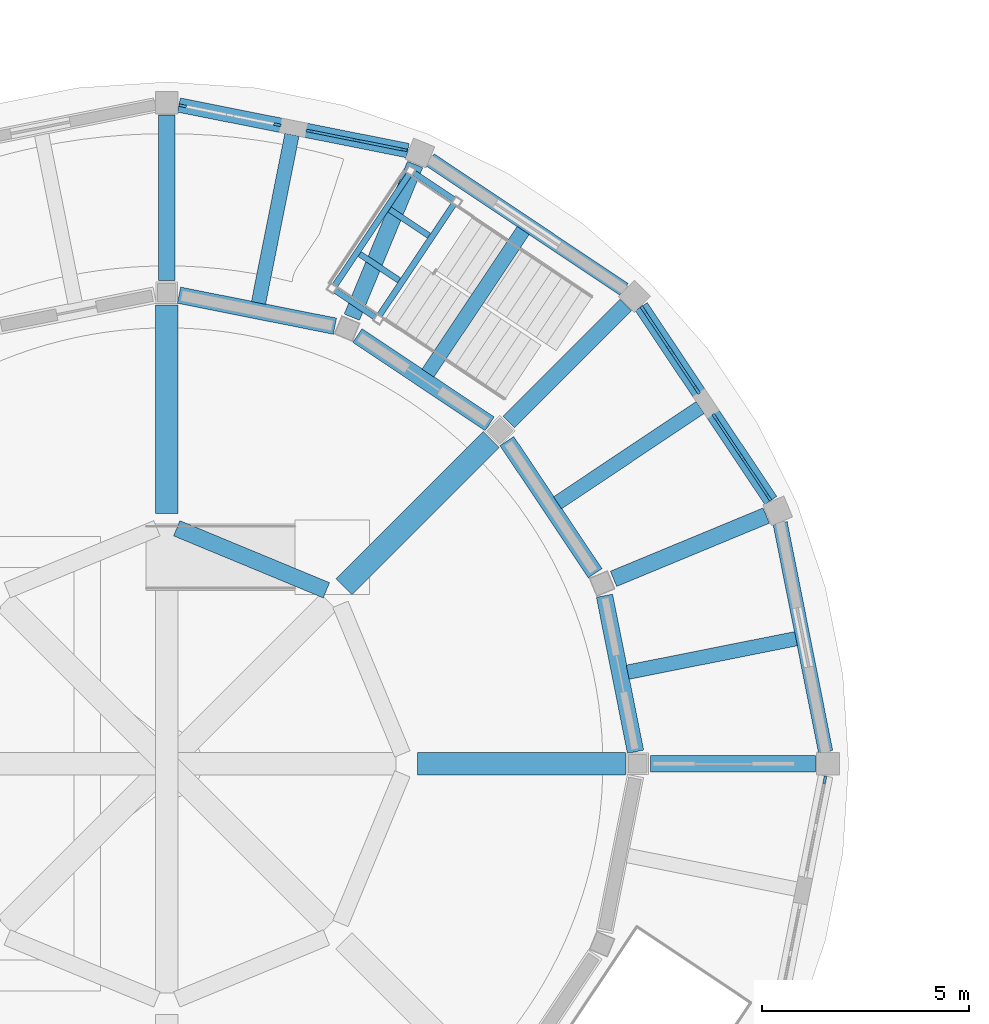
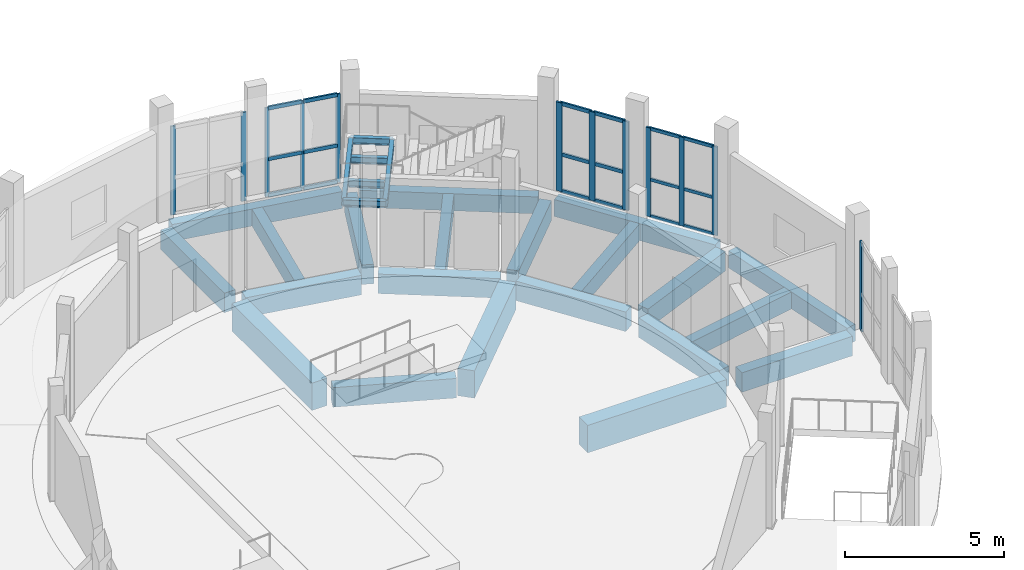
# One storey, part 40 of 92: 30 members, 27 beams, 5 elements without a shape of their own.
"""IFC4 building model written with IfcOpenShell, lengths in metres."""

from ifc_helpers import new_model, si_unit, direction, frame, origin, origin_2d, place, context, subcontext, project, spatial, rectangle, i_section, extrude, material, layer, layer_set, material_profile, profile_set, type_object, element, aggregate, save


model = new_model("IFC4")

# Units and contexts
model_context = context("Model", 3, precision=1e-05, world=origin(), true_north=direction((0.0, 1.0)))
body_context = subcontext(model_context, "Body", "Model", "MODEL_VIEW")
ifc_project = project(units=[si_unit("LENGTHUNIT", "METRE"), si_unit("AREAUNIT", "SQUARE_METRE"), si_unit("VOLUMEUNIT", "CUBIC_METRE"), si_unit("PLANEANGLEUNIT", "RADIAN"), si_unit("MASSUNIT", "GRAM", prefix="KILO")], contexts=[model_context])

# Site, building, storey
site_placement = place(None, origin())
site = spatial("IfcSite", under=ifc_project, at=site_placement, CompositionType="ELEMENT")
building_placement = place(site_placement, origin())
building = spatial("IfcBuilding", under=site, at=building_placement, Name="Caldaven Crescent School", CompositionType="ELEMENT")
storey_placement = place(building_placement, origin())
storey = spatial("IfcBuildingStorey", under=building, at=storey_placement, Name="L00", CompositionType="ELEMENT", Elevation=0.0)

# Beams
ifc_material_1 = material(Name="Concrete C30/37", Category="concrete")
ifc_material_profile_1 = material_profile(ifc_material_1, rectangle(XDim=0.35009765625, YDim=0.64990234375, at=origin_2d()), Name="RC 350x650")
ifc_profile_set_1 = profile_set([ifc_material_profile_1], Name="Concrete C30/37")
beam_type_1 = type_object("IfcBeamType", Name="BM-RC35", PredefinedType="BEAM", material=ifc_profile_set_1)
beam_1_placement = place(storey_placement, frame((34.65234375, 100.71826171875, -0.5849609375), z_axis=(0.980781447665, 0.195109589505, 0.0), x_axis=(-0.195109589505, 0.980781447665, 0.0)))
element("IfcBeam", 1, at=beam_1_placement, inside=storey, type_object=beam_type_1, Name="JS-V2-L00-0213", PredefinedType="BEAM", context=body_context, shape_type="SweptSolid", body=[
    extrude(rectangle(XDim=0.35009765625, YDim=0.64990234375, at=origin_2d()), origin(), (0.0, 0.0, 1.0), 4.15185546875),
])
for number, where, z_axis, x_axis, name in (
    (2, (32.95458984375, 104.8173828125, -0.5849609375), (0.831479874258, 0.55555487461, 0.0), (-0.55555487461, 0.831479874258, 0.0), "JS-V2-L00-0217"),
    (3, (29.8173828125, 107.95458984375, -0.5849609375), (0.55555487461, 0.831479874258, 0.0), (-0.831479874258, 0.55555487461, 0.0), "JS-V2-L00-0224"),
):
    element("IfcBeam", number, at=place(storey_placement, frame(where, z_axis=z_axis, x_axis=x_axis)), inside=storey, type_object=beam_type_1, Name=name, PredefinedType="BEAM", context=body_context, shape_type="SweptSolid", body=[
        extrude(rectangle(XDim=0.35009765625, YDim=0.64990234375, at=origin_2d()), origin(), (0.0, 0.0, 1.0), 4.151611328125),
    ])
beam_2_placement = place(storey_placement, frame((25.71826171875, 109.65234375, -0.5849609375), z_axis=(0.195109589505, 0.980781447665, 0.0), x_axis=(-0.980781447665, 0.195109589505, 0.0)))
element("IfcBeam", 4, at=beam_2_placement, inside=storey, type_object=beam_type_1, Name="JS-V2-L00-0228", PredefinedType="BEAM", context=body_context, shape_type="SweptSolid", body=[
    extrude(rectangle(XDim=0.35009765625, YDim=0.64990234375, at=origin_2d()), origin(), (0.0, 0.0, 1.0), 4.15185546875),
])
ifc_material_2 = material(Name="Concrete C35/45", Category="concrete")
ifc_material_profile_2 = material_profile(ifc_material_2, rectangle(XDim=0.39990234375, YDim=0.75, at=origin_2d()), Name="RC 400x750")
ifc_profile_set_2 = profile_set([ifc_material_profile_2], Name="Concrete C35/45")
beam_type_2 = type_object("IfcBeamType", Name="BM-RC40", PredefinedType="BEAM", material=ifc_profile_set_2)
beam_3_placement = place(storey_placement, frame((35.199951171875, 98.5, -0.635009765625), z_axis=(1.0, 0.0, 0.0), x_axis=(0.0, 1.0, 0.0)))
element("IfcBeam", 5, at=beam_3_placement, inside=storey, type_object=beam_type_2, Name="BM-V2-L00-0209", PredefinedType="BEAM", context=body_context, shape_type="SweptSolid", body=[
    extrude(rectangle(XDim=0.39990234375, YDim=0.75, at=origin_2d()), origin(), (0.0, 0.0, 1.0), 4.0),
])
beam_4_placement = place(storey_placement, frame((34.841552734375, 98.794189453125, -0.635009765625), z_axis=(-0.195091158895, 0.980785113937, 0.0), x_axis=(-0.980785113937, -0.195091158895, 0.0)))
element("IfcBeam", 6, at=beam_4_placement, inside=storey, type_object=beam_type_2, Name="BM-V2-L00-0210", PredefinedType="BEAM", context=body_context, shape_type="SweptSolid", body=[
    extrude(rectangle(XDim=0.39990234375, YDim=0.75, at=origin_2d()), origin(), (0.0, 0.0, 1.0), 3.84814453125),
])
beam_5_placement = place(storey_placement, frame((34.309326171875, 102.977294921875, -0.635009765625), z_axis=(0.923878468529, 0.382686001036, 0.0), x_axis=(-0.382686001036, 0.923878468529, 0.0)))
element("IfcBeam", 7, at=beam_5_placement, inside=storey, type_object=beam_type_2, Name="BM-V2-L00-0214", PredefinedType="BEAM", context=body_context, shape_type="SweptSolid", body=[
    extrude(rectangle(XDim=0.39990234375, YDim=0.75, at=origin_2d()), origin(), (0.0, 0.0, 1.0), 4.0),
])
beam_6_placement = place(storey_placement, frame((33.865478515625, 103.112060546875, -0.635009765625), z_axis=(-0.555549132006, 0.831483711162, 0.0), x_axis=(-0.831483711162, -0.555549132006, 0.0)))
element("IfcBeam", 8, at=beam_6_placement, inside=storey, type_object=beam_type_2, Name="BM-V2-L00-0215", PredefinedType="BEAM", context=body_context, shape_type="SweptSolid", body=[
    extrude(rectangle(XDim=0.39990234375, YDim=0.75, at=origin_2d()), origin(), (0.0, 0.0, 1.0), 3.847900390625),
])
beam_7_placement = place(storey_placement, frame((27.361083984375, 102.70068359375, -0.635009765625), z_axis=(-0.923883966899, 0.382672726631, 0.0), x_axis=(-0.382672726631, -0.923883966899, 0.0)))
element("IfcBeam", 9, at=beam_7_placement, inside=storey, type_object=beam_type_2, Name="BM-V2-L00-0218", PredefinedType="BEAM", context=body_context, shape_type="SweptSolid", body=[
    extrude(rectangle(XDim=0.39990234375, YDim=0.75, at=origin_2d()), origin(), (0.0, 0.0, 1.0), 3.919189453125),
])
beam_8_placement = place(storey_placement, frame((31.773193359375, 106.773193359375, -0.635009765625), z_axis=(0.707106781187, 0.707106781187, 0.0), x_axis=(-0.707106781187, 0.707106781187, 0.0)))
element("IfcBeam", 10, at=beam_8_placement, inside=storey, type_object=beam_type_2, Name="BM-V2-L00-0220", PredefinedType="BEAM", context=body_context, shape_type="SweptSolid", body=[
    extrude(rectangle(XDim=0.39990234375, YDim=0.75, at=origin_2d()), origin(), (0.0, 0.0, 1.0), 4.0),
])
beam_9_placement = place(storey_placement, frame((31.3115234375, 106.727783203125, -0.635009765625), z_axis=(-0.831483711162, 0.555549132006, 0.0), x_axis=(-0.555549132006, -0.831483711162, 0.0)))
element("IfcBeam", 11, at=beam_9_placement, inside=storey, type_object=beam_type_2, Name="BM-V2-L00-0221", PredefinedType="BEAM", context=body_context, shape_type="SweptSolid", body=[
    extrude(rectangle(XDim=0.39990234375, YDim=0.75, at=origin_2d()), origin(), (0.0, 0.0, 1.0), 3.847900390625),
])
beam_10_placement = place(storey_placement, frame((27.977294921875, 109.309326171875, -0.635009765625), z_axis=(0.382686001036, 0.923878468529, 0.0), x_axis=(-0.923878468529, 0.382686001036, 0.0)))
element("IfcBeam", 12, at=beam_10_placement, inside=storey, type_object=beam_type_2, Name="BM-V2-L00-0225", PredefinedType="BEAM", context=body_context, shape_type="SweptSolid", body=[
    extrude(rectangle(XDim=0.39990234375, YDim=0.75, at=origin_2d()), origin(), (0.0, 0.0, 1.0), 4.0),
])
beam_11_placement = place(storey_placement, frame((27.568359375, 109.0908203125, -0.635009765625), z_axis=(-0.980785113937, 0.195091158895, 0.0), x_axis=(-0.195091158895, -0.980785113937, 0.0)))
element("IfcBeam", 13, at=beam_11_placement, inside=storey, type_object=beam_type_2, Name="BM-V2-L00-0226", PredefinedType="BEAM", context=body_context, shape_type="SweptSolid", body=[
    extrude(rectangle(XDim=0.39990234375, YDim=0.75, at=origin_2d()), origin(), (0.0, 0.0, 1.0), 3.84814453125),
])
beam_12_placement = place(storey_placement, frame((23.5, 110.199951171875, -0.635009765625), z_axis=(0.0, 1.0, 0.0), x_axis=(-1.0, 0.0, 0.0)))
element("IfcBeam", 14, at=beam_12_placement, inside=storey, type_object=beam_type_2, Name="BM-V2-L00-0231", PredefinedType="BEAM", context=body_context, shape_type="SweptSolid", body=[
    extrude(rectangle(XDim=0.39990234375, YDim=0.75, at=origin_2d()), origin(), (0.0, 0.0, 1.0), 4.0),
])
ifc_material_profile_3 = material_profile(ifc_material_2, rectangle(XDim=0.550048828125, YDim=1.050048828125, at=origin_2d()), Name="RC 550x1050")
ifc_profile_set_3 = profile_set([ifc_material_profile_3], Name="Concrete C35/45")
beam_type_3 = type_object("IfcBeamType", Name="BM-RC55", PredefinedType="BEAM", material=ifc_profile_set_3)
beam_13_placement = place(storey_placement, frame((29.56005859375, 98.5, -0.784912109375), z_axis=(1.0, 0.0, 0.0), x_axis=(0.0, 1.0, 0.0)))
element("IfcBeam", 15, at=beam_13_placement, inside=storey, type_object=beam_type_3, Name="BM-V2-L00-0208", PredefinedType="BEAM", context=body_context, shape_type="SweptSolid", body=[
    extrude(rectangle(XDim=0.550048828125, YDim=1.050048828125, at=origin_2d()), origin(), (0.0, 0.0, 1.0), 5.0400390625),
])
beam_14_placement = place(storey_placement, frame((27.78515625, 102.78515625, -0.784912109375), z_axis=(0.707106781187, 0.707106781187, 0.0), x_axis=(-0.707106781187, 0.707106781187, 0.0)))
element("IfcBeam", 16, at=beam_14_placement, inside=storey, type_object=beam_type_3, Name="BM-V2-L00-0219", PredefinedType="BEAM", context=body_context, shape_type="SweptSolid", body=[
    extrude(rectangle(XDim=0.550048828125, YDim=1.050048828125, at=origin_2d()), origin(), (0.0, 0.0, 1.0), 5.039794921875),
])
beam_15_placement = place(storey_placement, frame((23.5, 104.56005859375, -0.784912109375), z_axis=(0.0, 1.0, 0.0), x_axis=(-1.0, 0.0, 0.0)))
element("IfcBeam", 17, at=beam_15_placement, inside=storey, type_object=beam_type_3, Name="BM-V2-L00-0230", PredefinedType="BEAM", context=body_context, shape_type="SweptSolid", body=[
    extrude(rectangle(XDim=0.550048828125, YDim=1.050048828125, at=origin_2d()), origin(), (0.0, 0.0, 1.0), 5.0400390625),
])
ifc_material_3 = material(Name="Steel ASTM A572 Grade 50", Category="steel")
ifc_material_profile_4 = material_profile(ifc_material_3, i_section(OverallWidth=0.14599609375, OverallDepth=0.258056640625, WebThickness=0.006103515625, FlangeThickness=0.009033203125, FilletRadius=0.011962890625, at=origin_2d()), Name="W250x33")
ifc_profile_set_4 = profile_set([ifc_material_profile_4], Name="Steel ASTM A572 Grade 50")
beam_type_4 = type_object("IfcBeamType", Name="BM-W25", PredefinedType="BEAM", material=ifc_profile_set_4)
beam_16_placement = place(storey_placement, frame((30.52001953125, 112.102294921875, 1.885986328125), z_axis=(-0.831437628298, 0.555618097483, 0.0), x_axis=(-0.555618097483, -0.831437628298, 0.0)))
element("IfcBeam", 18, at=beam_16_placement, inside=storey, type_object=beam_type_4, Name="BM-STSIDE-STV2-L00-SL", PredefinedType="BEAM", context=body_context, shape_type="SweptSolid", body=[
    extrude(i_section(OverallWidth=0.14599609375, OverallDepth=0.258056640625, WebThickness=0.006103515625, FlangeThickness=0.009033203125, FilletRadius=0.011962890625, at=origin_2d()), origin(), (0.0, 0.0, 1.0), 1.349853515625),
])
beam_17_placement = place(storey_placement, frame((28.6201171875, 109.258544921875, 1.885986328125), z_axis=(-0.831493450887, 0.555534554399, 0.0), x_axis=(-0.555534554399, -0.831493450887, 0.0)))
element("IfcBeam", 19, at=beam_17_placement, inside=storey, type_object=beam_type_4, Name="BM-STSIDE-STV2-L00-SR", PredefinedType="BEAM", context=body_context, shape_type="SweptSolid", body=[
    extrude(i_section(OverallWidth=0.14599609375, OverallDepth=0.258056640625, WebThickness=0.006103515625, FlangeThickness=0.009033203125, FilletRadius=0.011962890625, at=origin_2d()), origin(), (0.0, 0.0, 1.0), 1.35009765625),
])
for number, where, z_axis, x_axis, name in (
    (20, (30.4951171875, 112.118896484375, 1.885986328125), (-0.555556581598, -0.831478733729, 0.0), (0.831478733729, -0.555556581598, 0.0), "BM-STLND-STV2-L00-IN"),
    (21, (29.414306640625, 112.841064453125, 1.885986328125), (-0.555605934595, -0.831445756164, 0.0), (0.831445756164, -0.555605934595, 0.0), "BM-STLND-STV2-L00-OUT"),
):
    element("IfcBeam", number, at=place(storey_placement, frame(where, z_axis=z_axis, x_axis=x_axis)), inside=storey, type_object=beam_type_4, Name=name, PredefinedType="BEAM", context=body_context, shape_type="SweptSolid", body=[
        extrude(i_section(OverallWidth=0.14599609375, OverallDepth=0.258056640625, WebThickness=0.006103515625, FlangeThickness=0.009033203125, FilletRadius=0.011962890625, at=origin_2d()), origin(), (0.0, 0.0, 1.0), 3.419921875),
    ])

# Curtain wall, members
ifc_material_4 = material(Name="Anodised aluminium AA 6063-T6 and low-E double glazing", Category="aluminium")
ifc_layer_1 = layer(ifc_material_4, 0.22998046875)
ifc_layer_set_1 = layer_set([ifc_layer_1], Name="Anodised aluminium AA 6063-T6 and low-E double glazing")
curtain_wall_type_1 = type_object("IfcCurtainWallType", Name="CW-SYS4", PredefinedType="NOTDEFINED", material=ifc_layer_set_1)
curtain_wall_1_placement = place(storey_placement, origin())
curtain_wall_1 = element("IfcCurtainWall", 22, at=curtain_wall_1_placement, inside=storey, type_object=curtain_wall_type_1, Name="CW-L00-043", PredefinedType="NOTDEFINED")
ifc_material_5 = material(Name="Anodised aluminium AA 6063-T6", Category="aluminium")
ifc_material_profile_5 = material_profile(ifc_material_5, rectangle(XDim=0.06005859375, YDim=0.14990234375, at=origin_2d()), Name="CWM 60x150")
ifc_profile_set_5 = profile_set([ifc_material_profile_5], Name="Anodised aluminium AA 6063-T6")
member_type_1 = type_object("IfcMemberType", Name="CWM-T1", PredefinedType="MULLION", material=ifc_profile_set_5)
member_1_placement = place(storey_placement, frame((29.240478515625, 113.358154296875, 0.0), z_axis=(0.0, 0.0, 1.0), x_axis=(-0.195086997747, -0.980785941636, 0.0)))
member_1 = element("IfcMember", 23, at=member_1_placement, type_object=member_type_1, Name="CW4 mullion 1", PredefinedType="MULLION", context=body_context, shape_type="SweptSolid", body=[
    extrude(rectangle(XDim=0.06005859375, YDim=0.14990234375, at=origin_2d()), origin(), (0.0, 0.0, 1.0), 3.39990234375),
])
member_2_placement = place(storey_placement, frame((28.09228515625, 113.586669921875, 0.0), z_axis=(0.0, 0.0, 1.0), x_axis=(-0.195086997747, -0.980785941636, 0.0)))
member_2 = element("IfcMember", 24, at=member_2_placement, type_object=member_type_1, Name="CW4 mullion 2", PredefinedType="MULLION", context=body_context, shape_type="SweptSolid", body=[
    extrude(rectangle(XDim=0.06005859375, YDim=0.14990234375, at=origin_2d()), origin(), (0.0, 0.0, 1.0), 3.39990234375),
])
member_3_placement = place(storey_placement, frame((26.944091796875, 113.81494140625, 0.0), z_axis=(0.0, 0.0, 1.0), x_axis=(-0.195086997747, -0.980785941636, 0.0)))
member_3 = element("IfcMember", 25, at=member_3_placement, type_object=member_type_1, Name="CW4 mullion 3", PredefinedType="MULLION", context=body_context, shape_type="SweptSolid", body=[
    extrude(rectangle(XDim=0.06005859375, YDim=0.14990234375, at=origin_2d()), origin(), (0.0, 0.0, 1.0), 3.39990234375),
])

ifc_layer_2 = layer(ifc_material_4, 0.18994140625)
ifc_layer_set_2 = layer_set([ifc_layer_2], Name="Anodised aluminium AA 6063-T6 and low-E double glazing")
curtain_wall_type_2 = type_object("IfcCurtainWallType", Name="CW-SYS2", PredefinedType="NOTDEFINED", material=ifc_layer_set_2)
curtain_wall_2_placement = place(storey_placement, origin())
curtain_wall_2 = element("IfcCurtainWall", 26, at=curtain_wall_2_placement, inside=storey, type_object=curtain_wall_type_2, Name="CW-L00-041", PredefinedType="NOTDEFINED")
ifc_material_profile_6 = material_profile(ifc_material_5, rectangle(XDim=0.06494140625, YDim=0.179931640625, at=origin_2d()), Name="CWM 65x180")
ifc_profile_set_6 = profile_set([ifc_material_profile_6], Name="Anodised aluminium AA 6063-T6")
member_type_2 = type_object("IfcMemberType", Name="CWM-T2", PredefinedType="MULLION", material=ifc_profile_set_6)
member_4_placement = place(storey_placement, frame((38.06396484375, 104.94921875, 0.0), z_axis=(0.0, 0.0, 1.0), x_axis=(-0.831470060825, -0.555569561758, 0.0)))
member_4 = element("IfcMember", 27, at=member_4_placement, type_object=member_type_2, Name="CW2 mullion 1", PredefinedType="MULLION", context=body_context, shape_type="SweptSolid", body=[
    extrude(rectangle(XDim=0.06494140625, YDim=0.179931640625, at=origin_2d()), origin(), (0.0, 0.0, 1.0), 3.39990234375),
])
member_5_placement = place(storey_placement, frame((37.4150390625, 105.920654296875, 0.0), z_axis=(0.0, 0.0, 1.0), x_axis=(-0.831470060825, -0.555569561758, 0.0)))
member_5 = element("IfcMember", 28, at=member_5_placement, type_object=member_type_2, Name="CW2 mullion 2", PredefinedType="MULLION", context=body_context, shape_type="SweptSolid", body=[
    extrude(rectangle(XDim=0.06494140625, YDim=0.179931640625, at=origin_2d()), origin(), (0.0, 0.0, 1.0), 3.39990234375),
])
member_6_placement = place(storey_placement, frame((36.765869140625, 106.891845703125, 0.0), z_axis=(0.0, 0.0, 1.0), x_axis=(-0.831470060825, -0.555569561758, 0.0)))
member_6 = element("IfcMember", 29, at=member_6_placement, type_object=member_type_2, Name="CW2 mullion 3", PredefinedType="MULLION", context=body_context, shape_type="SweptSolid", body=[
    extrude(rectangle(XDim=0.06494140625, YDim=0.179931640625, at=origin_2d()), origin(), (0.0, 0.0, 1.0), 3.39990234375),
])

ifc_layer_3 = layer(ifc_material_4, 0.169921875)
ifc_layer_set_3 = layer_set([ifc_layer_3], Name="Anodised aluminium AA 6063-T6 and low-E double glazing")
curtain_wall_type_3 = type_object("IfcCurtainWallType", Name="CW-SYS1", PredefinedType="NOTDEFINED", material=ifc_layer_set_3)
curtain_wall_3_placement = place(storey_placement, origin())
curtain_wall_3 = element("IfcCurtainWall", 30, at=curtain_wall_3_placement, inside=storey, type_object=curtain_wall_type_3, Name="CW-L00-044", PredefinedType="NOTDEFINED")
member_7_placement = place(storey_placement, frame((26.176513671875, 113.967529296875, 0.0), z_axis=(0.0, 0.0, 1.0), x_axis=(-0.19509100343, -0.980785144861, 0.0)))
member_7 = element("IfcMember", 31, at=member_7_placement, type_object=member_type_2, Name="CW1 mullion 1", PredefinedType="MULLION", context=body_context, shape_type="SweptSolid", body=[
    extrude(rectangle(XDim=0.06494140625, YDim=0.179931640625, at=origin_2d()), origin(), (0.0, 0.0, 1.0), 3.39990234375),
])
member_8_placement = place(storey_placement, frame((23.885009765625, 114.42333984375, 0.0), z_axis=(0.0, 0.0, 1.0), x_axis=(-0.19509100343, -0.980785144861, 0.0)))
member_8 = element("IfcMember", 32, at=member_8_placement, type_object=member_type_2, Name="CW1 mullion 3", PredefinedType="MULLION", context=body_context, shape_type="SweptSolid", body=[
    extrude(rectangle(XDim=0.06494140625, YDim=0.179931640625, at=origin_2d()), origin(), (0.0, 0.0, 1.0), 3.39990234375),
])
aggregate(curtain_wall_3, [member_7, member_8])

# Curtain wall, member
curtain_wall_4_placement = place(storey_placement, origin())
curtain_wall_4 = element("IfcCurtainWall", 33, at=curtain_wall_4_placement, inside=storey, type_object=curtain_wall_type_3, Name="CW-L00-056", PredefinedType="NOTDEFINED")
member_9_placement = place(storey_placement, frame((39.42333984375, 98.114990234375, 0.0), z_axis=(0.0, 0.0, 1.0), x_axis=(-0.980785144861, 0.19509100343, 0.0)))
member_9 = element("IfcMember", 34, at=member_9_placement, type_object=member_type_2, Name="CW1 mullion 3", PredefinedType="MULLION", context=body_context, shape_type="SweptSolid", body=[
    extrude(rectangle(XDim=0.06494140625, YDim=0.179931640625, at=origin_2d()), origin(), (0.0, 0.0, 1.0), 3.39990234375),
])
aggregate(curtain_wall_4, [member_9])

# Curtain wall, members
ifc_layer_4 = layer(ifc_material_4, 0.2099609375)
ifc_layer_set_4 = layer_set([ifc_layer_4], Name="Anodised aluminium AA 6063-T6 and low-E double glazing")
curtain_wall_type_4 = type_object("IfcCurtainWallType", Name="CW-SYS3", PredefinedType="NOTDEFINED", material=ifc_layer_set_4)
curtain_wall_5_placement = place(storey_placement, origin())
curtain_wall_5 = element("IfcCurtainWall", 35, at=curtain_wall_5_placement, inside=storey, type_object=curtain_wall_type_4, Name="CW-L00-042", PredefinedType="NOTDEFINED")
ifc_material_profile_7 = material_profile(ifc_material_5, rectangle(XDim=0.070068359375, YDim=0.2099609375, at=origin_2d()), Name="CWM 70x210")
ifc_profile_set_7 = profile_set([ifc_material_profile_7], Name="Anodised aluminium AA 6063-T6")
member_type_3 = type_object("IfcMemberType", Name="CWM-T3", PredefinedType="MULLION", material=ifc_profile_set_7)
member_10_placement = place(storey_placement, frame((36.328369140625, 107.546630859375, 0.0), z_axis=(0.0, 0.0, 1.0), x_axis=(-0.831468137234, -0.555572440609, 0.0)))
member_10 = element("IfcMember", 36, at=member_10_placement, type_object=member_type_3, Name="CW3 mullion 1", PredefinedType="MULLION", context=body_context, shape_type="SweptSolid", body=[
    extrude(rectangle(XDim=0.070068359375, YDim=0.2099609375, at=origin_2d()), origin(), (0.0, 0.0, 1.0), 3.39990234375),
])
member_11_placement = place(storey_placement, frame((35.680908203125, 108.51611328125, 0.0), z_axis=(0.0, 0.0, 1.0), x_axis=(-0.831468137234, -0.555572440609, 0.0)))
member_11 = element("IfcMember", 37, at=member_11_placement, type_object=member_type_3, Name="CW3 mullion 2", PredefinedType="MULLION", context=body_context, shape_type="SweptSolid", body=[
    extrude(rectangle(XDim=0.070068359375, YDim=0.2099609375, at=origin_2d()), origin(), (0.0, 0.0, 1.0), 3.39990234375),
])
member_12_placement = place(storey_placement, frame((35.033203125, 109.4853515625, 0.0), z_axis=(0.0, 0.0, 1.0), x_axis=(-0.831468137234, -0.555572440609, 0.0)))
member_12 = element("IfcMember", 38, at=member_12_placement, type_object=member_type_3, Name="CW3 mullion 3", PredefinedType="MULLION", context=body_context, shape_type="SweptSolid", body=[
    extrude(rectangle(XDim=0.070068359375, YDim=0.2099609375, at=origin_2d()), origin(), (0.0, 0.0, 1.0), 3.39990234375),
])

# Member
ifc_material_profile_8 = material_profile(ifc_material_5, rectangle(XDim=0.06005859375, YDim=0.1201171875, at=origin_2d()), Name="CWT 60x120")
ifc_profile_set_8 = profile_set([ifc_material_profile_8], Name="Anodised aluminium AA 6063-T6")
member_type_4 = type_object("IfcMemberType", Name="CWT-T1", PredefinedType="USERDEFINED", material=ifc_profile_set_8)
member_13_placement = place(storey_placement, frame((38.0458984375, 104.976318359375, 0.030029296875), z_axis=(-0.555517115994, 0.83150510151, 0.0), x_axis=(-0.83150510151, -0.555517115994, 0.0)))
member_13 = element("IfcMember", 39, at=member_13_placement, type_object=member_type_4, Name="CW2 transom 1.1", ObjectType="TRANSOM", PredefinedType="USERDEFINED", context=body_context, shape_type="SweptSolid", body=[
    extrude(rectangle(XDim=0.06005859375, YDim=0.1201171875, at=origin_2d()), origin(), (0.0, 0.0, 1.0), 1.10302734375),
])

member_14_placement = place(storey_placement, frame((38.0458984375, 104.976318359375, 1.427978515625), z_axis=(-0.555517115994, 0.83150510151, 0.0), x_axis=(-0.83150510151, -0.555517115994, 0.0)))
member_14 = element("IfcMember", 40, at=member_14_placement, type_object=member_type_4, Name="CW2 transom 1.2", ObjectType="TRANSOM", PredefinedType="USERDEFINED", context=body_context, shape_type="SweptSolid", body=[
    extrude(rectangle(XDim=0.06005859375, YDim=0.1201171875, at=origin_2d()), origin(), (0.0, 0.0, 1.0), 1.10302734375),
])

member_15_placement = place(storey_placement, frame((38.0458984375, 104.976318359375, 3.3701171875), z_axis=(-0.555517115994, 0.83150510151, 0.0), x_axis=(-0.83150510151, -0.555517115994, 0.0)))
member_15 = element("IfcMember", 41, at=member_15_placement, type_object=member_type_4, Name="CW2 transom 1.3", ObjectType="TRANSOM", PredefinedType="USERDEFINED", context=body_context, shape_type="SweptSolid", body=[
    extrude(rectangle(XDim=0.06005859375, YDim=0.1201171875, at=origin_2d()), origin(), (0.0, 0.0, 1.0), 1.10302734375),
])

member_16_placement = place(storey_placement, frame((37.39697265625, 105.94775390625, 0.030029296875), z_axis=(-0.555670109665, 0.831402868184, 0.0), x_axis=(-0.831402868184, -0.555670109665, 0.0)))
member_16 = element("IfcMember", 42, at=member_16_placement, type_object=member_type_4, Name="CW2 transom 2.1", ObjectType="TRANSOM", PredefinedType="USERDEFINED", context=body_context, shape_type="SweptSolid", body=[
    extrude(rectangle(XDim=0.06005859375, YDim=0.1201171875, at=origin_2d()), origin(), (0.0, 0.0, 1.0), 1.103271484375),
])

member_17_placement = place(storey_placement, frame((37.39697265625, 105.94775390625, 1.427978515625), z_axis=(-0.555670109665, 0.831402868184, 0.0), x_axis=(-0.831402868184, -0.555670109665, 0.0)))
member_17 = element("IfcMember", 43, at=member_17_placement, type_object=member_type_4, Name="CW2 transom 2.2", ObjectType="TRANSOM", PredefinedType="USERDEFINED", context=body_context, shape_type="SweptSolid", body=[
    extrude(rectangle(XDim=0.06005859375, YDim=0.1201171875, at=origin_2d()), origin(), (0.0, 0.0, 1.0), 1.103271484375),
])

member_18_placement = place(storey_placement, frame((37.39697265625, 105.94775390625, 3.3701171875), z_axis=(-0.555670109665, 0.831402868184, 0.0), x_axis=(-0.831402868184, -0.555670109665, 0.0)))
member_18 = element("IfcMember", 44, at=member_18_placement, type_object=member_type_4, Name="CW2 transom 2.3", ObjectType="TRANSOM", PredefinedType="USERDEFINED", context=body_context, shape_type="SweptSolid", body=[
    extrude(rectangle(XDim=0.06005859375, YDim=0.1201171875, at=origin_2d()), origin(), (0.0, 0.0, 1.0), 1.103271484375),
])

aggregate(curtain_wall_2, [member_4, member_5, member_6, member_13, member_14, member_15, member_16, member_17, member_18])

ifc_material_profile_9 = material_profile(ifc_material_5, rectangle(XDim=0.06494140625, YDim=0.139892578125, at=origin_2d()), Name="CWT 65x140")
ifc_profile_set_9 = profile_set([ifc_material_profile_9], Name="Anodised aluminium AA 6063-T6")
member_type_5 = type_object("IfcMemberType", Name="CWT-T2", PredefinedType="USERDEFINED", material=ifc_profile_set_9)
member_19_placement = place(storey_placement, frame((36.30908203125, 107.575927734375, 0.032470703125), z_axis=(-0.555728200489, 0.831364040106, 0.0), x_axis=(-0.831364040106, -0.555728200489, 0.0)))
member_19 = element("IfcMember", 45, at=member_19_placement, type_object=member_type_5, Name="CW3 transom 1.1", ObjectType="TRANSOM", PredefinedType="USERDEFINED", context=body_context, shape_type="SweptSolid", body=[
    extrude(rectangle(XDim=0.06494140625, YDim=0.139892578125, at=origin_2d()), origin(), (0.0, 0.0, 1.0), 1.095703125),
])

member_20_placement = place(storey_placement, frame((36.30908203125, 107.575927734375, 1.427978515625), z_axis=(-0.555728200489, 0.831364040106, 0.0), x_axis=(-0.831364040106, -0.555728200489, 0.0)))
member_20 = element("IfcMember", 46, at=member_20_placement, type_object=member_type_5, Name="CW3 transom 1.2", ObjectType="TRANSOM", PredefinedType="USERDEFINED", context=body_context, shape_type="SweptSolid", body=[
    extrude(rectangle(XDim=0.06494140625, YDim=0.139892578125, at=origin_2d()), origin(), (0.0, 0.0, 1.0), 1.095703125),
])

member_21_placement = place(storey_placement, frame((36.30908203125, 107.575927734375, 3.367431640625), z_axis=(-0.555728200489, 0.831364040106, 0.0), x_axis=(-0.831364040106, -0.555728200489, 0.0)))
member_21 = element("IfcMember", 47, at=member_21_placement, type_object=member_type_5, Name="CW3 transom 1.3", ObjectType="TRANSOM", PredefinedType="USERDEFINED", context=body_context, shape_type="SweptSolid", body=[
    extrude(rectangle(XDim=0.06494140625, YDim=0.139892578125, at=origin_2d()), origin(), (0.0, 0.0, 1.0), 1.095703125),
])

member_22_placement = place(storey_placement, frame((35.661376953125, 108.545166015625, 0.032470703125), z_axis=(-0.555625266885, 0.831432837215, 0.0), x_axis=(-0.831432837215, -0.555625266885, 0.0)))
member_22 = element("IfcMember", 48, at=member_22_placement, type_object=member_type_5, Name="CW3 transom 2.1", ObjectType="TRANSOM", PredefinedType="USERDEFINED", context=body_context, shape_type="SweptSolid", body=[
    extrude(rectangle(XDim=0.06494140625, YDim=0.139892578125, at=origin_2d()), origin(), (0.0, 0.0, 1.0), 1.095947265625),
])

member_23_placement = place(storey_placement, frame((35.661376953125, 108.545166015625, 1.427978515625), z_axis=(-0.555625266885, 0.831432837215, 0.0), x_axis=(-0.831432837215, -0.555625266885, 0.0)))
member_23 = element("IfcMember", 49, at=member_23_placement, type_object=member_type_5, Name="CW3 transom 2.2", ObjectType="TRANSOM", PredefinedType="USERDEFINED", context=body_context, shape_type="SweptSolid", body=[
    extrude(rectangle(XDim=0.06494140625, YDim=0.139892578125, at=origin_2d()), origin(), (0.0, 0.0, 1.0), 1.095947265625),
])

member_24_placement = place(storey_placement, frame((35.661376953125, 108.545166015625, 3.367431640625), z_axis=(-0.555625266885, 0.831432837215, 0.0), x_axis=(-0.831432837215, -0.555625266885, 0.0)))
member_24 = element("IfcMember", 50, at=member_24_placement, type_object=member_type_5, Name="CW3 transom 2.3", ObjectType="TRANSOM", PredefinedType="USERDEFINED", context=body_context, shape_type="SweptSolid", body=[
    extrude(rectangle(XDim=0.06494140625, YDim=0.139892578125, at=origin_2d()), origin(), (0.0, 0.0, 1.0), 1.095947265625),
])

aggregate(curtain_wall_5, [member_10, member_11, member_12, member_19, member_20, member_21, member_22, member_23, member_24])

member_25_placement = place(storey_placement, frame((29.2109375, 113.364013671875, 0.032470703125), z_axis=(-0.98076622288, 0.195186106212, 0.0), x_axis=(-0.195186106212, -0.98076622288, 0.0)))
member_25 = element("IfcMember", 51, at=member_25_placement, type_object=member_type_5, Name="CW4 transom 1.1", ObjectType="TRANSOM", PredefinedType="USERDEFINED", context=body_context, shape_type="SweptSolid", body=[
    extrude(rectangle(XDim=0.06494140625, YDim=0.139892578125, at=origin_2d()), origin(), (0.0, 0.0, 1.0), 1.11083984375),
])

member_26_placement = place(storey_placement, frame((29.2109375, 113.364013671875, 1.427978515625), z_axis=(-0.98076622288, 0.195186106212, 0.0), x_axis=(-0.195186106212, -0.98076622288, 0.0)))
member_26 = element("IfcMember", 52, at=member_26_placement, type_object=member_type_5, Name="CW4 transom 1.2", ObjectType="TRANSOM", PredefinedType="USERDEFINED", context=body_context, shape_type="SweptSolid", body=[
    extrude(rectangle(XDim=0.06494140625, YDim=0.139892578125, at=origin_2d()), origin(), (0.0, 0.0, 1.0), 1.11083984375),
])

member_27_placement = place(storey_placement, frame((29.2109375, 113.364013671875, 3.367431640625), z_axis=(-0.98076622288, 0.195186106212, 0.0), x_axis=(-0.195186106212, -0.98076622288, 0.0)))
member_27 = element("IfcMember", 53, at=member_27_placement, type_object=member_type_5, Name="CW4 transom 1.3", ObjectType="TRANSOM", PredefinedType="USERDEFINED", context=body_context, shape_type="SweptSolid", body=[
    extrude(rectangle(XDim=0.06494140625, YDim=0.139892578125, at=origin_2d()), origin(), (0.0, 0.0, 1.0), 1.11083984375),
])

member_28_placement = place(storey_placement, frame((28.062744140625, 113.592529296875, 0.032470703125), z_axis=(-0.980808279432, 0.194974662451, 0.0), x_axis=(-0.194974662451, -0.980808279432, 0.0)))
member_28 = element("IfcMember", 54, at=member_28_placement, type_object=member_type_5, Name="CW4 transom 2.1", ObjectType="TRANSOM", PredefinedType="USERDEFINED", context=body_context, shape_type="SweptSolid", body=[
    extrude(rectangle(XDim=0.06494140625, YDim=0.139892578125, at=origin_2d()), origin(), (0.0, 0.0, 1.0), 1.110595703125),
])

member_29_placement = place(storey_placement, frame((28.062744140625, 113.592529296875, 1.427978515625), z_axis=(-0.980808279432, 0.194974662451, 0.0), x_axis=(-0.194974662451, -0.980808279432, 0.0)))
member_29 = element("IfcMember", 55, at=member_29_placement, type_object=member_type_5, Name="CW4 transom 2.2", ObjectType="TRANSOM", PredefinedType="USERDEFINED", context=body_context, shape_type="SweptSolid", body=[
    extrude(rectangle(XDim=0.06494140625, YDim=0.139892578125, at=origin_2d()), origin(), (0.0, 0.0, 1.0), 1.110595703125),
])

member_30_placement = place(storey_placement, frame((28.062744140625, 113.592529296875, 3.367431640625), z_axis=(-0.980808279432, 0.194974662451, 0.0), x_axis=(-0.194974662451, -0.980808279432, 0.0)))
member_30 = element("IfcMember", 56, at=member_30_placement, type_object=member_type_5, Name="CW4 transom 2.3", ObjectType="TRANSOM", PredefinedType="USERDEFINED", context=body_context, shape_type="SweptSolid", body=[
    extrude(rectangle(XDim=0.06494140625, YDim=0.139892578125, at=origin_2d()), origin(), (0.0, 0.0, 1.0), 1.110595703125),
])

aggregate(curtain_wall_1, [member_1, member_2, member_3, member_25, member_26, member_27, member_28, member_29, member_30])

# Beams
ifc_material_profile_10 = material_profile(ifc_material_3, i_section(OverallWidth=0.14599609375, OverallDepth=0.258056640625, WebThickness=0.006103515625, FlangeThickness=0.009033203125, FilletRadius=0.011962890625, at=origin_2d()), Name="W250x33")
ifc_profile_set_10 = profile_set([ifc_material_profile_10], Name="Steel ASTM A572 Grade 50")
beam_type_5 = type_object("IfcBeamType", Name="LN-W25", PredefinedType="LINTEL", material=ifc_profile_set_10)
beam_18_placement = place(storey_placement, frame((29.83984375, 111.281982421875, 1.885986328125), z_axis=(-0.831522793915, 0.555490632865, 0.0), x_axis=(-0.555490632865, -0.831522793915, 0.0)))
element("IfcBeam", 57, at=beam_18_placement, inside=storey, type_object=beam_type_5, Name="BM-STJST-STV2-L00-JL", PredefinedType="LINTEL", context=body_context, shape_type="SweptSolid", body=[
    extrude(i_section(OverallWidth=0.14599609375, OverallDepth=0.258056640625, WebThickness=0.006103515625, FlangeThickness=0.009033203125, FilletRadius=0.011962890625, at=origin_2d()), origin(), (0.0, 0.0, 1.0), 1.14013671875),
])
beam_19_placement = place(storey_placement, frame((29.117431640625, 110.201171875, 1.885986328125), z_axis=(-0.83145669775, 0.555589560527, 0.0), x_axis=(-0.555589560527, -0.83145669775, 0.0)))
element("IfcBeam", 58, at=beam_19_placement, inside=storey, type_object=beam_type_5, Name="BM-STJST-STV2-L00-JR", PredefinedType="LINTEL", context=body_context, shape_type="SweptSolid", body=[
    extrude(i_section(OverallWidth=0.14599609375, OverallDepth=0.258056640625, WebThickness=0.006103515625, FlangeThickness=0.009033203125, FilletRadius=0.011962890625, at=origin_2d()), origin(), (0.0, 0.0, 1.0), 1.139892578125),
])
ifc_material_profile_11 = material_profile(ifc_material_1, rectangle(XDim=0.35009765625, YDim=0.64990234375, at=origin_2d()), Name="RC 350x650")
ifc_profile_set_11 = profile_set([ifc_material_profile_11], Name="Concrete C30/37")
beam_type_6 = type_object("IfcBeamType", Name="SP-RC35", PredefinedType="SPANDREL", material=ifc_profile_set_11)
for number, where, z_axis, x_axis, name in (
    (59, (39.44140625, 98.794189453125, -0.5849609375), (-0.195084309916, 0.980786476265, 0.0), (-0.980786476265, -0.195084309916, 0.0), "BM-V2-L00-0211"),
    (60, (38.115478515625, 104.872314453125, -0.5849609375), (-0.555568526189, 0.831470752768, 0.0), (-0.831470752768, -0.555568526189, 0.0), "BM-V2-L00-0216"),
    (61, (34.564208984375, 109.98046875, -0.5849609375), (-0.831470752768, 0.555568526189, 0.0), (-0.555568526189, -0.831470752768, 0.0), "BM-V2-L00-0222"),
    (62, (29.32861328125, 113.340576171875, -0.5849609375), (-0.980786476265, 0.195084309916, 0.0), (-0.195084309916, -0.980786476265, 0.0), "BM-V2-L00-0227"),
):
    element("IfcBeam", number, at=place(storey_placement, frame(where, z_axis=z_axis, x_axis=x_axis)), inside=storey, type_object=beam_type_6, Name=name, PredefinedType="SPANDREL", context=body_context, shape_type="SweptSolid", body=[
        extrude(rectangle(XDim=0.35009765625, YDim=0.64990234375, at=origin_2d()), origin(), (0.0, 0.0, 1.0), 5.642822265625),
    ])

save(model, "model.ifc")
